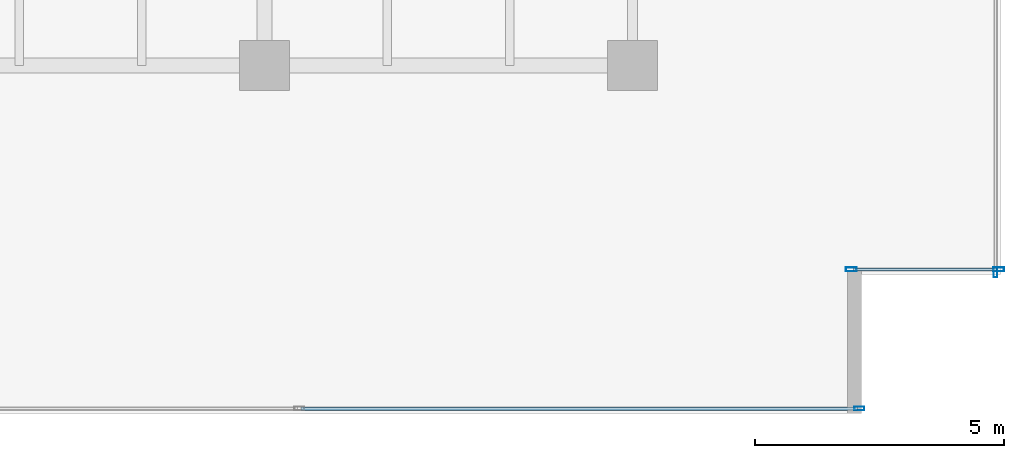
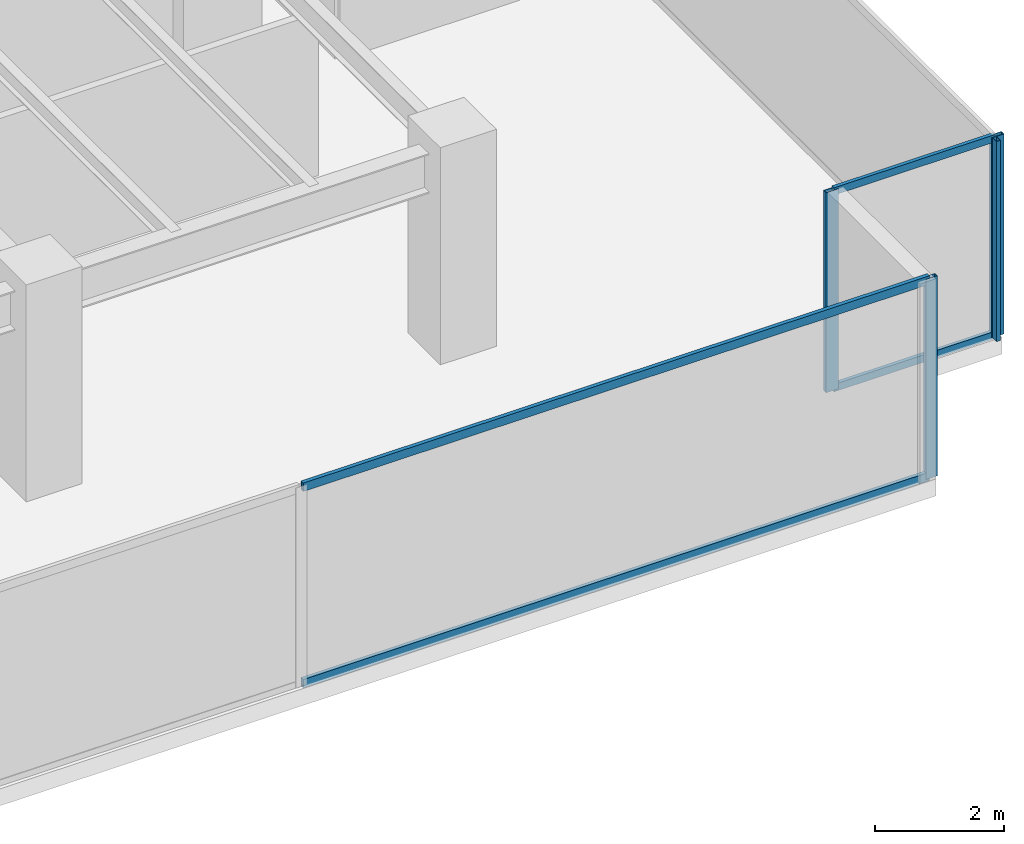
# One storey, part 23 of 35: 8 members, 3 elements without a shape of their own.
"""IFC4 building model written with IfcOpenShell, lengths in metres."""

from ifc_helpers import new_model, si_unit, direction, frame, origin, origin_2d, place, context, subcontext, project, spatial, hollow_rectangle, extrude, source, transform, mapped, material, layer, layer_set, material_profile, profile_set, type_object, type_shapes, element, aggregate, save


model = new_model("IFC4")

# Units and contexts
model_context = context("Model", 3, precision=1e-05, world=origin(), true_north=direction((0.0, 1.0)))
body_context = subcontext(model_context, "Body", "Model", "MODEL_VIEW")
ifc_project = project(units=[si_unit("LENGTHUNIT", "METRE"), si_unit("AREAUNIT", "SQUARE_METRE"), si_unit("VOLUMEUNIT", "CUBIC_METRE"), si_unit("PLANEANGLEUNIT", "RADIAN"), si_unit("MASSUNIT", "GRAM", prefix="KILO")], contexts=[model_context])

# Site, building, storey
site_placement = place(None, origin())
site = spatial("IfcSite", under=ifc_project, at=site_placement, CompositionType="ELEMENT")
building_placement = place(site_placement, origin())
building = spatial("IfcBuilding", under=site, at=building_placement, Name="Haelvirn Gate Laboratories", CompositionType="ELEMENT")
storey_placement = place(building_placement, frame((0.0, 0.0, 37.5)))
storey = spatial("IfcBuildingStorey", under=building, at=storey_placement, Name="L09", CompositionType="ELEMENT", Elevation=37.5)

# Curtain wall, member
ifc_material_1 = material(Name="Anodised bronze unitised aluminium & triple low-E glass", Category="aluminium")
ifc_layer_1 = layer(ifc_material_1, 0.18408203125, Name="CW-SYS-2")
ifc_layer_set_1 = layer_set([ifc_layer_1], Name="Anodised bronze unitised aluminium & triple low-E glass")
curtain_wall_type_1 = type_object("IfcCurtainWallType", Name="CW-SYS-2", PredefinedType="NOTDEFINED", material=ifc_layer_set_1)
curtain_wall_1_placement = place(storey_placement, origin())
curtain_wall_1 = element("IfcCurtainWall", 1, at=curtain_wall_1_placement, inside=storey, type_object=curtain_wall_type_1, Name="L09 Unitised Curtain Wall CW-L09-P0-E04-1", PredefinedType="NOTDEFINED")
ifc_material_2 = material(Name="Extruded aluminium 6063-T6 (anodised bronze)", Category="aluminium")
ifc_material_profile_1 = material_profile(ifc_material_2, hollow_rectangle(XDim=0.074951171875, YDim=0.199951171875, WallThickness=0.0048828125, at=origin_2d()), Name="CWM-200x75x5")
ifc_profile_set_1 = profile_set([ifc_material_profile_1], Name="Extruded aluminium 6063-T6 (anodised bronze)")
member_type_1 = type_object("IfcMemberType", Name="CWM-T200", PredefinedType="MULLION", material=ifc_profile_set_1)
shared_shape_1 = source(origin(), body_context, "Body", "SweptSolid", [
    extrude(hollow_rectangle(XDim=0.074951171875, YDim=0.199951171875, WallThickness=0.0048828125, at=origin_2d()), origin(), (0.0, 0.0, 1.0), 3.780029296875),
])
type_shapes(member_type_1, [shared_shape_1])
member_1_placement = place(storey_placement, frame((71.96240234375, 0.10009765625, 0.0), z_axis=(0.0, 0.0, 1.0), x_axis=(0.0, 1.0, 0.0)))
member_1 = element("IfcMember", 2, at=member_1_placement, type_object=member_type_1, Name="CW2 mullion 3", PredefinedType="MULLION", context=body_context, shape_type="MappedRepresentation", body=[
    mapped(shared_shape_1, transform((0.0, 0.0, 0.0), scale=1.0)),
])

curtain_wall_2_placement = place(storey_placement, origin())
curtain_wall_2 = element("IfcCurtainWall", 3, at=curtain_wall_2_placement, inside=storey, type_object=curtain_wall_type_1, Name="L09 Unitised Curtain Wall CW-L09-P0-E07", PredefinedType="NOTDEFINED")
member_2_placement = place(storey_placement, frame((74.699951171875, 2.83740234375, 0.0), z_axis=(0.0, 0.0, 1.0), x_axis=(-1.0, 0.0, 0.0)))
member_2 = element("IfcMember", 4, at=member_2_placement, type_object=member_type_1, Name="CW2 mullion 1", PredefinedType="MULLION", context=body_context, shape_type="MappedRepresentation", body=[
    mapped(shared_shape_1, transform((0.0, 0.0, 0.0), scale=1.0)),
])
aggregate(curtain_wall_2, [member_2])

# Member
ifc_material_profile_2 = material_profile(ifc_material_2, hollow_rectangle(XDim=0.070068359375, YDim=0.159912109375, WallThickness=0.0048828125, at=origin_2d()), Name="CWT-160x70x5")
ifc_profile_set_2 = profile_set([ifc_material_profile_2], Name="Extruded aluminium 6063-T6 (anodised bronze)")
member_type_2 = type_object("IfcMemberType", Name="CWT-T160", PredefinedType="USERDEFINED", material=ifc_profile_set_2)
shared_shape_2 = source(origin(), body_context, "Body", "SweptSolid", [
    extrude(hollow_rectangle(XDim=0.070068359375, YDim=0.159912109375, WallThickness=0.0048828125, at=origin_2d()), origin(), (0.0, 0.0, 1.0), 11.1875),
])
type_shapes(member_type_2, [shared_shape_2])
member_3_placement = place(storey_placement, frame((60.737548828125, 0.10009765625, 0.034912109375), z_axis=(1.0, 0.0, 0.0), x_axis=(0.0, 1.0, 0.0)))
member_3 = element("IfcMember", 5, at=member_3_placement, type_object=member_type_2, Name="CW2 transom 2.1", ObjectType="TRANSOM", PredefinedType="USERDEFINED", context=body_context, shape_type="MappedRepresentation", body=[
    mapped(shared_shape_2, transform((0.0, 0.0, 0.0), scale=1.0)),
])

member_4_placement = place(storey_placement, frame((60.737548828125, 0.10009765625, 3.7451171875), z_axis=(1.0, 0.0, 0.0), x_axis=(0.0, 1.0, 0.0)))
member_4 = element("IfcMember", 6, at=member_4_placement, type_object=member_type_2, Name="CW2 transom 2.2", ObjectType="TRANSOM", PredefinedType="USERDEFINED", context=body_context, shape_type="MappedRepresentation", body=[
    mapped(shared_shape_2, transform((0.0, 0.0, 0.0), scale=1.0)),
])

aggregate(curtain_wall_1, [member_1, member_3, member_4])

# Curtain wall, members
ifc_layer_2 = layer(ifc_material_1, 0.181884765625, Name="CW-SYS-5")
ifc_layer_set_2 = layer_set([ifc_layer_2], Name="Anodised bronze unitised aluminium & triple low-E glass")
curtain_wall_type_2 = type_object("IfcCurtainWallType", Name="CW-SYS-5", PredefinedType="NOTDEFINED", material=ifc_layer_set_2)
curtain_wall_3_placement = place(storey_placement, origin())
curtain_wall_3 = element("IfcCurtainWall", 7, at=curtain_wall_3_placement, inside=storey, type_object=curtain_wall_type_2, Name="L09 Unitised Curtain Wall CW-L09-P0-E06-1", PredefinedType="NOTDEFINED")
ifc_material_profile_3 = material_profile(ifc_material_2, hollow_rectangle(XDim=0.080078125, YDim=0.219970703125, WallThickness=0.006103515625, at=origin_2d()), Name="CWM-220x80x6")
ifc_profile_set_3 = profile_set([ifc_material_profile_3], Name="Extruded aluminium 6063-T6 (anodised bronze)")
member_type_3 = type_object("IfcMemberType", Name="CWM-T220", PredefinedType="MULLION", material=ifc_profile_set_3)
shared_shape_3 = source(origin(), body_context, "Body", "SweptSolid", [
    extrude(hollow_rectangle(XDim=0.080078125, YDim=0.219970703125, WallThickness=0.006103515625, at=origin_2d()), origin(), (0.0, 0.0, 1.0), 3.780029296875),
])
type_shapes(member_type_3, [shared_shape_3])
member_5_placement = place(storey_placement, frame((71.800048828125, 2.89990234375, 0.0), z_axis=(0.0, 0.0, 1.0), x_axis=(0.0, 1.0, 0.0)))
member_5 = element("IfcMember", 8, at=member_5_placement, type_object=member_type_3, Name="CW5 mullion 1", PredefinedType="MULLION", context=body_context, shape_type="MappedRepresentation", body=[
    mapped(shared_shape_3, transform((0.0, 0.0, 0.0), scale=1.0)),
])
member_6_placement = place(storey_placement, frame((74.760009765625, 2.89990234375, 0.0), z_axis=(0.0, 0.0, 1.0), x_axis=(0.0, 1.0, 0.0)))
member_6 = element("IfcMember", 9, at=member_6_placement, type_object=member_type_3, Name="CW5 mullion 2", PredefinedType="MULLION", context=body_context, shape_type="MappedRepresentation", body=[
    mapped(shared_shape_3, transform((0.0, 0.0, 0.0), scale=1.0)),
])
ifc_material_profile_4 = material_profile(ifc_material_2, hollow_rectangle(XDim=0.06494140625, YDim=0.139892578125, WallThickness=0.00390625, at=origin_2d()), Name="CWT-140x65x4")
ifc_profile_set_4 = profile_set([ifc_material_profile_4], Name="Extruded aluminium 6063-T6 (anodised bronze)")
member_type_4 = type_object("IfcMemberType", Name="CWT-T140", PredefinedType="USERDEFINED", material=ifc_profile_set_4)
shared_shape_4 = source(origin(), body_context, "Body", "SweptSolid", [
    extrude(hollow_rectangle(XDim=0.06494140625, YDim=0.139892578125, WallThickness=0.00390625, at=origin_2d()), origin(), (0.0, 0.0, 1.0), 2.8798828125),
])
type_shapes(member_type_4, [shared_shape_4])
member_7_placement = place(storey_placement, frame((71.840087890625, 2.89990234375, 0.032470703125), z_axis=(1.0, 0.0, 0.0), x_axis=(0.0, 1.0, 0.0)))
member_7 = element("IfcMember", 10, at=member_7_placement, type_object=member_type_4, Name="CW5 transom 1.1", ObjectType="TRANSOM", PredefinedType="USERDEFINED", context=body_context, shape_type="MappedRepresentation", body=[
    mapped(shared_shape_4, transform((0.0, 0.0, 0.0), scale=1.0)),
])
member_8_placement = place(storey_placement, frame((71.840087890625, 2.89990234375, 3.74755859375), z_axis=(1.0, 0.0, 0.0), x_axis=(0.0, 1.0, 0.0)))
member_8 = element("IfcMember", 11, at=member_8_placement, type_object=member_type_4, Name="CW5 transom 1.2", ObjectType="TRANSOM", PredefinedType="USERDEFINED", context=body_context, shape_type="MappedRepresentation", body=[
    mapped(shared_shape_4, transform((0.0, 0.0, 0.0), scale=1.0)),
])
aggregate(curtain_wall_3, [member_5, member_6, member_7, member_8])

save(model, "model.ifc")
